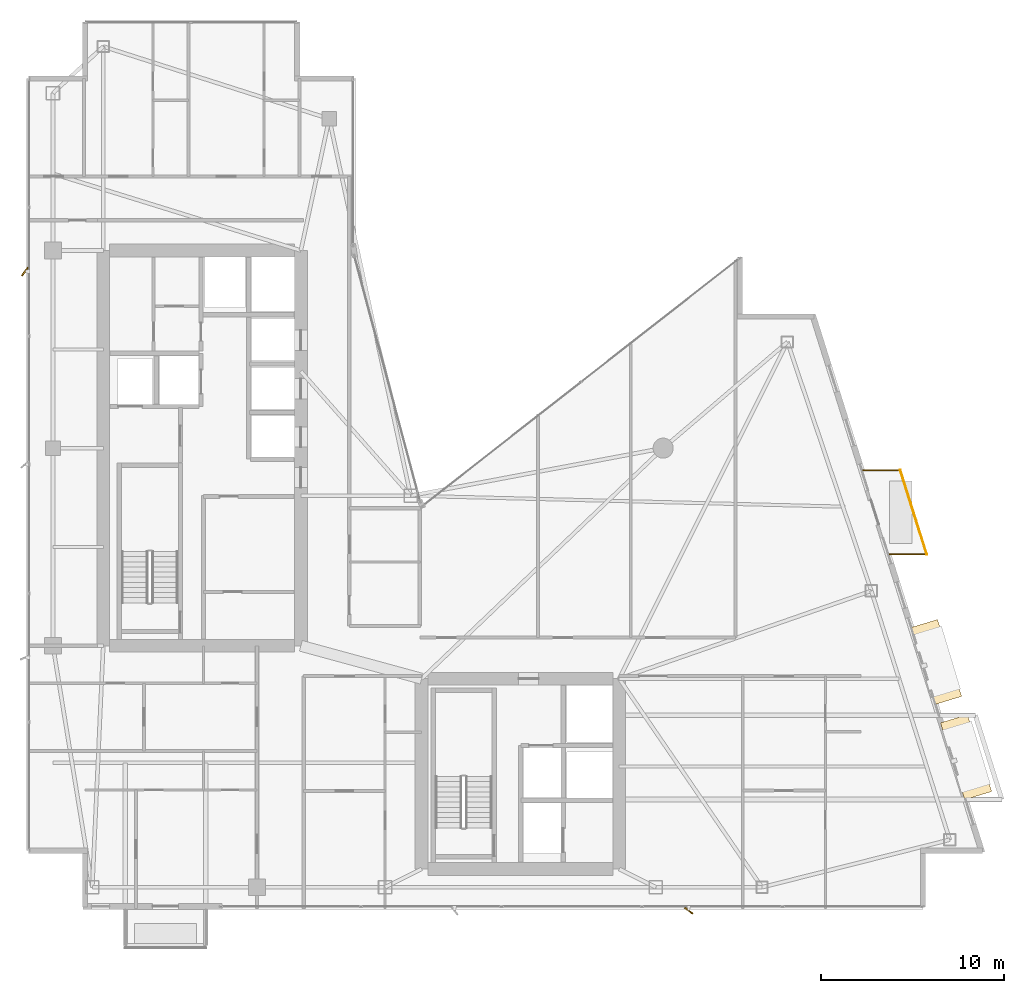
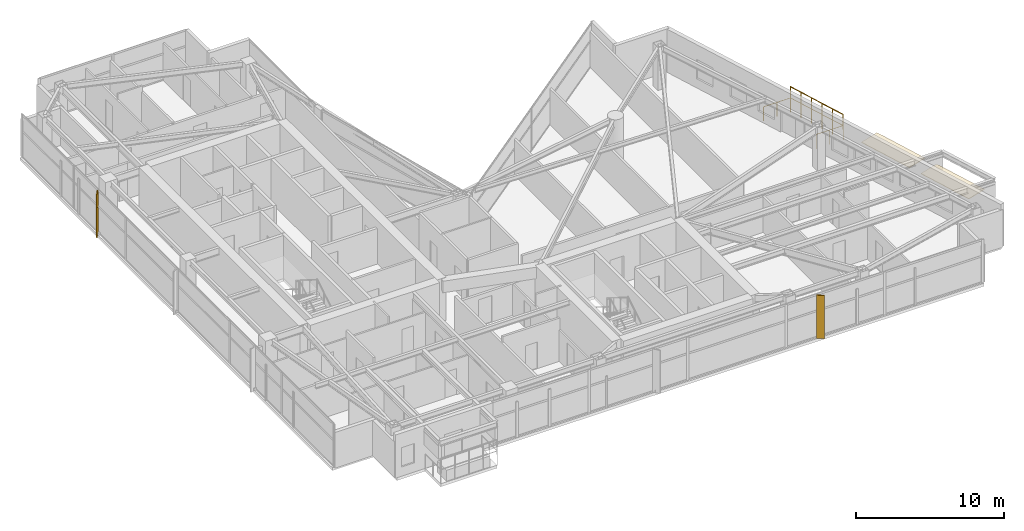
# One storey, part 29 of 29: 2 coverings, 2 railings, 2 shading devices.
"""IFC4 building model written with IfcOpenShell, lengths in metres."""

from ifc_helpers import new_model, si_unit, direction, frame, origin, origin_2d, place, context, subcontext, project, spatial, polyline, rectangle, circle, outline, extrude, material, layer, layer_set, type_object, element, save


model = new_model("IFC4")

# Units and contexts
model_context = context("Model", 3, precision=1e-05, world=origin(), true_north=direction((0.0, 1.0)))
body_context = subcontext(model_context, "Body", "Model", "MODEL_VIEW")
ifc_project = project(units=[si_unit("LENGTHUNIT", "METRE"), si_unit("AREAUNIT", "SQUARE_METRE"), si_unit("VOLUMEUNIT", "CUBIC_METRE"), si_unit("PLANEANGLEUNIT", "RADIAN"), si_unit("MASSUNIT", "GRAM", prefix="KILO")], contexts=[model_context])

# Site, building, storey
site_placement = place(None, origin())
site = spatial("IfcSite", under=ifc_project, at=site_placement, CompositionType="ELEMENT")
building_placement = place(site_placement, origin())
building = spatial("IfcBuilding", under=site, at=building_placement, Name="Calvorn Quay Hotel", CompositionType="ELEMENT")
storey_placement = place(building_placement, frame((0.0, 0.0, 211.0)))
storey = spatial("IfcBuildingStorey", under=building, at=storey_placement, Name="L52", CompositionType="ELEMENT", Elevation=211.0)

# Coverings
ifc_material_1 = material(Name="Pale Anodised Aluminium Rainscreen Cladding", Category="aluminium")
ifc_layer = layer(ifc_material_1, 0.044921875)
ifc_layer_set = layer_set([ifc_layer], Name="COV-CROWN-CLAD")
covering_type = type_object("IfcCoveringType", Name="COV-CROWN-CLAD", PredefinedType="CLADDING", material=ifc_layer_set)
covering_1_placement = place(storey_placement, frame((0.0, 0.0, 2.5048828125)))
element("IfcCovering", 1, at=covering_1_placement, inside=storey, type_object=covering_type, Name="Angled Bay Hood Canopy L52-HOOD-1", PredefinedType="CLADDING", context=body_context, shape_type="SweptSolid", body=[
    extrude(outline(polyline([(49.95703125, 12.587890625), (51.429931640625, 13.034912109375), (52.7529296875, 8.8349609375), (51.280029296875, 8.387939453125), (49.95703125, 12.587890625)])), origin(), (0.0, 0.0, 1.0), 0.045166015625),
])
covering_2_placement = place(storey_placement, frame((0.0, 0.0, 2.5048828125)))
element("IfcCovering", 2, at=covering_2_placement, inside=storey, type_object=covering_type, Name="Angled Bay Hood Canopy L52-HOOD-2", PredefinedType="CLADDING", context=body_context, shape_type="SweptSolid", body=[
    extrude(outline(polyline([(48.318115234375, 17.7880859375), (49.791015625, 18.235107421875), (51.114013671875, 14.034912109375), (49.64111328125, 13.587890625), (48.318115234375, 17.7880859375)])), origin(), (0.0, 0.0, 1.0), 0.045166015625),
])

# Railings
ifc_material_2 = material(Name="Pale Anodised Aluminium and Laminated Glass", Category="aluminium")
railing_type = type_object("IfcRailingType", Name="RLG-BALUSTRADE-1200", PredefinedType="BALUSTRADE", material=ifc_material_2)
railing_1_placement = place(storey_placement, frame((47.10595703125, 21.800048828125, 0.0)))
element("IfcRailing", 3, at=railing_1_placement, inside=storey, type_object=railing_type, Name="Tree Balcony Perimeter Balustrade L52-BALC-E", PredefinedType="BALUSTRADE", context=body_context, shape_type="SweptSolid", body=[
    extrude(circle(Radius=0.02392578125, at=origin_2d()), frame((0.0, 0.0, 1.17578125), z_axis=(1.0, 0.0, 0.0), x_axis=(0.0, 1.0, 0.0)), (0.0, 0.0, 1.0), 2.10009765625),
    extrude(circle(Radius=0.02392578125, at=origin_2d()), frame((2.10009765625, 0.0, 1.17578125), z_axis=(-0.300450487966, 0.953797412599, 0.0), x_axis=(-0.953797412599, -0.300450487966, 0.0)), (0.0, 0.0, 1.0), 4.82275390625),
    extrude(circle(Radius=0.02392578125, at=origin_2d()), frame((0.651123046875, 4.599853515625, 1.17578125), z_axis=(-1.0, 0.0, 0.0), x_axis=(0.0, -1.0, 0.0)), (0.0, 0.0, 1.0), 2.10009765625),
    extrude(circle(Radius=0.02099609375, at=origin_2d()), origin(), (0.0, 0.0, 1.0), 1.15185546875),
    extrude(circle(Radius=0.02099609375, at=origin_2d()), frame((1.050048828125, 0.0, 0.0)), (0.0, 0.0, 1.0), 1.15185546875),
    extrude(circle(Radius=0.02099609375, at=origin_2d()), frame((2.10009765625, 0.0, 0.0)), (0.0, 0.0, 1.0), 1.15185546875),
    extrude(circle(Radius=0.02099609375, at=origin_2d()), frame((1.810302734375, 0.919921875, 0.0)), (0.0, 0.0, 1.0), 1.15185546875),
    extrude(circle(Radius=0.02099609375, at=origin_2d()), frame((1.5205078125, 1.83984375, 0.0)), (0.0, 0.0, 1.0), 1.15185546875),
    extrude(circle(Radius=0.02099609375, at=origin_2d()), frame((1.230712890625, 2.760009765625, 0.0)), (0.0, 0.0, 1.0), 1.15185546875),
    extrude(circle(Radius=0.02099609375, at=origin_2d()), frame((0.94091796875, 3.679931640625, 0.0)), (0.0, 0.0, 1.0), 1.15185546875),
    extrude(circle(Radius=0.02099609375, at=origin_2d()), frame((0.651123046875, 4.599853515625, 0.0)), (0.0, 0.0, 1.0), 1.15185546875),
    extrude(circle(Radius=0.02099609375, at=origin_2d()), frame((-0.39892578125, 4.599853515625, 0.0)), (0.0, 0.0, 1.0), 1.15185546875),
    extrude(circle(Radius=0.02099609375, at=origin_2d()), frame((-1.448974609375, 4.599853515625, 0.0)), (0.0, 0.0, 1.0), 1.15185546875),
])
railing_2_placement = place(storey_placement, frame((49.2060546875, 21.800048828125, 0.89990234375)))
element("IfcRailing", 4, at=railing_2_placement, inside=storey, type_object=railing_type, Name="Planter Kerb High Safety Screen L52-BALC-E", PredefinedType="BALUSTRADE", context=body_context, shape_type="SweptSolid", body=[
    extrude(circle(Radius=0.02392578125, at=origin_2d()), frame((0.0, 0.0, 1.19580078125), z_axis=(-0.300450487966, 0.953797412599, 0.0), x_axis=(-0.953797412599, -0.300450487966, 0.0)), (0.0, 0.0, 1.0), 4.82275390625),
    extrude(circle(Radius=0.02099609375, at=origin_2d()), origin(), (0.0, 0.0, 1.0), 1.171875),
    extrude(circle(Radius=0.02099609375, at=origin_2d()), frame((-0.289794921875, 0.919921875, 0.0)), (0.0, 0.0, 1.0), 1.171875),
    extrude(circle(Radius=0.02099609375, at=origin_2d()), frame((-0.57958984375, 1.83984375, 0.0)), (0.0, 0.0, 1.0), 1.171875),
    extrude(circle(Radius=0.02099609375, at=origin_2d()), frame((-0.869384765625, 2.760009765625, 0.0)), (0.0, 0.0, 1.0), 1.171875),
    extrude(circle(Radius=0.02099609375, at=origin_2d()), frame((-1.1591796875, 3.679931640625, 0.0)), (0.0, 0.0, 1.0), 1.171875),
    extrude(circle(Radius=0.02099609375, at=origin_2d()), frame((-1.448974609375, 4.599853515625, 0.0)), (0.0, 0.0, 1.0), 1.171875),
])

# Shading devices
ifc_material_3 = material(Name="Champagne Bronze Anodised Aluminium 6063-T6", Category="aluminium")
shading_device_type = type_object("IfcShadingDeviceType", Name="SHD-FIN-A3", PredefinedType="USERDEFINED", material=ifc_material_3)
for number, where, z_axis, x_axis, name in (
    (5, (-0.080078125, 37.25, 0.0), (0.0, 0.0, 1.0), (0.587785252292, 0.809016994375, 0.0), "Diagonal Sun-Shading Fin L52-W03"),
    (6, (36.199951171875, 2.320068359375, 0.0), (0.0, 0.0, 1.0), (-0.809016994375, 0.587785252292, 0.0), "Diagonal Sun-Shading Fin L52-S02"),
):
    element("IfcShadingDevice", number, at=place(storey_placement, frame(where, z_axis=z_axis, x_axis=x_axis)), inside=storey, type_object=shading_device_type, Name=name, ObjectType="FIN", PredefinedType="USERDEFINED", context=body_context, shape_type="SweptSolid", body=[
        extrude(rectangle(XDim=0.550048828125, YDim=0.080078125, at=origin_2d()), origin(), (0.0, 0.0, 1.0), 3.56005859375),
    ])

save(model, "model.ifc")
